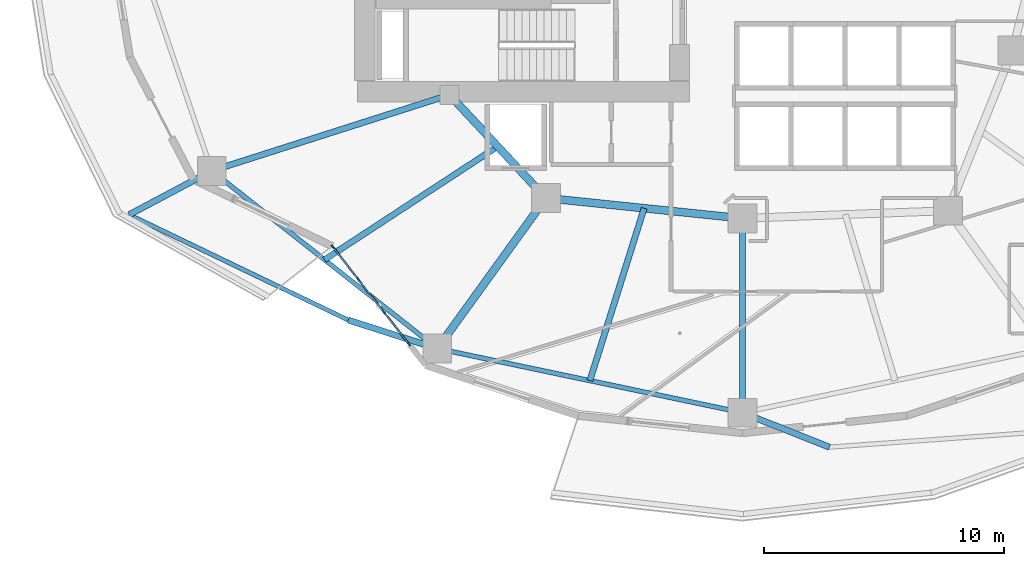
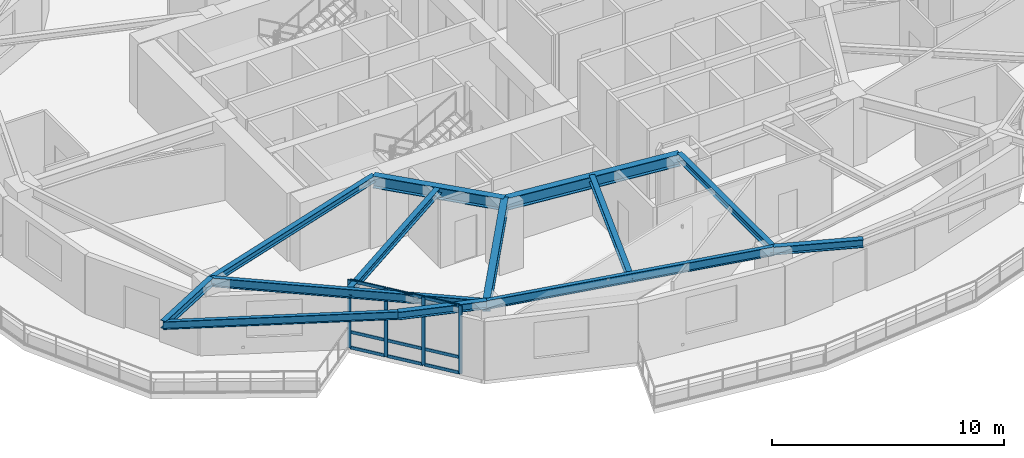
# One storey, part 2 of 19: 13 beams, 13 members, 1 element without a shape of its own.
"""IFC4 building model written with IfcOpenShell, lengths in metres."""

from ifc_helpers import new_model, si_unit, direction, frame, origin, origin_2d, place, context, subcontext, project, spatial, rectangle, i_section, extrude, material, layer, layer_set, material_profile, profile_set, type_object, element, aggregate, save


model = new_model("IFC4")

# Units and contexts
model_context = context("Model", 3, precision=1e-05, world=origin(), true_north=direction((0.0, 1.0)))
body_context = subcontext(model_context, "Body", "Model", "MODEL_VIEW")
ifc_project = project(units=[si_unit("LENGTHUNIT", "METRE"), si_unit("AREAUNIT", "SQUARE_METRE"), si_unit("VOLUMEUNIT", "CUBIC_METRE"), si_unit("PLANEANGLEUNIT", "RADIAN"), si_unit("MASSUNIT", "GRAM", prefix="KILO")], contexts=[model_context])

# Site, building, storey
site_placement = place(None, origin())
site = spatial("IfcSite", under=ifc_project, at=site_placement, CompositionType="ELEMENT")
building_placement = place(site_placement, origin())
building = spatial("IfcBuilding", under=site, at=building_placement, Name="Kolvaren Gate Tower and Convention Centre", CompositionType="ELEMENT")
storey_placement = place(building_placement, frame((0.0, 0.0, 68.85009765625)))
storey = spatial("IfcBuildingStorey", under=building, at=storey_placement, Name="L16", CompositionType="ELEMENT", Elevation=68.85009765625)

# Curtain wall, members
ifc_material_1 = material(Name="Anodized Architectural Aluminium Alloy 6063-T6", Category="aluminium")
ifc_layer = layer(ifc_material_1, 0.159912109375)
ifc_layer_set = layer_set([ifc_layer], Name="Anodized Architectural Aluminium Alloy 6063-T6")
curtain_wall_type = type_object("IfcCurtainWallType", Name="CW-OFF-UNIT", PredefinedType="NOTDEFINED", material=ifc_layer_set)
curtain_wall_placement = place(storey_placement, origin())
curtain_wall = element("IfcCurtainWall", 1, at=curtain_wall_placement, inside=storey, type_object=curtain_wall_type, Name="Tower L16 Unitised Curtain Wall CW-OFF-UNIT Bay 15", PredefinedType="NOTDEFINED")
ifc_material_profile_1 = material_profile(ifc_material_1, rectangle(XDim=0.06494140625, YDim=0.159912109375, at=origin_2d()), Name="CW-MEM-MUL-160")
ifc_profile_set_1 = profile_set([ifc_material_profile_1], Name="Anodized Architectural Aluminium Alloy 6063-T6")
member_type_1 = type_object("IfcMemberType", Name="CW-MEM-MUL-160", PredefinedType="MULLION", material=ifc_profile_set_1)
member_1_placement = place(storey_placement, frame((13.046142578125, 13.6142578125, 0.0), z_axis=(0.0, 0.0, 1.0), x_axis=(0.787412382353, 0.616426589398, 0.0)))
member_1 = element("IfcMember", 2, at=member_1_placement, type_object=member_type_1, Name="CW-02 mullion 1", PredefinedType="MULLION", context=body_context, shape_type="SweptSolid", body=[
    extrude(rectangle(XDim=0.06494140625, YDim=0.159912109375, at=origin_2d()), origin(), (0.0, 0.0, 1.0), 3.56982421875),
])
member_2_placement = place(storey_placement, frame((14.098388671875, 12.270263671875, 0.0), z_axis=(0.0, 0.0, 1.0), x_axis=(0.787412382353, 0.616426589398, 0.0)))
member_2 = element("IfcMember", 3, at=member_2_placement, type_object=member_type_1, Name="CW-02 mullion 2", PredefinedType="MULLION", context=body_context, shape_type="SweptSolid", body=[
    extrude(rectangle(XDim=0.06494140625, YDim=0.159912109375, at=origin_2d()), origin(), (0.0, 0.0, 1.0), 3.56982421875),
])
member_3_placement = place(storey_placement, frame((15.17041015625, 10.90087890625, 0.0), z_axis=(0.0, 0.0, 1.0), x_axis=(0.787412382353, 0.616426589398, 0.0)))
member_3 = element("IfcMember", 4, at=member_3_placement, type_object=member_type_1, Name="CW-02 mullion 3", PredefinedType="MULLION", context=body_context, shape_type="SweptSolid", body=[
    extrude(rectangle(XDim=0.06494140625, YDim=0.159912109375, at=origin_2d()), origin(), (0.0, 0.0, 1.0), 3.56982421875),
])
member_4_placement = place(storey_placement, frame((16.22265625, 9.556884765625, 0.0), z_axis=(0.0, 0.0, 1.0), x_axis=(0.787412382353, 0.616426589398, 0.0)))
member_4 = element("IfcMember", 5, at=member_4_placement, type_object=member_type_1, Name="CW-02 mullion 4", PredefinedType="MULLION", context=body_context, shape_type="SweptSolid", body=[
    extrude(rectangle(XDim=0.06494140625, YDim=0.159912109375, at=origin_2d()), origin(), (0.0, 0.0, 1.0), 3.56982421875),
])
ifc_material_profile_2 = material_profile(ifc_material_1, rectangle(XDim=0.06494140625, YDim=0.159912109375, at=origin_2d()), Name="CW-MEM-TRN-160")
ifc_profile_set_2 = profile_set([ifc_material_profile_2], Name="Anodized Architectural Aluminium Alloy 6063-T6")
member_type_2 = type_object("IfcMemberType", Name="CW-MEM-TRN-160", PredefinedType="USERDEFINED", material=ifc_profile_set_2)
member_5_placement = place(storey_placement, frame((13.066162109375, 13.588623046875, 0.032470703125), z_axis=(0.616408501706, -0.787426541986, 0.0), x_axis=(0.787426541986, 0.616408501706, 0.0)))
member_5 = element("IfcMember", 6, at=member_5_placement, type_object=member_type_2, Name="CW-02 transom 1.1", ObjectType="TRANSOM", PredefinedType="USERDEFINED", context=body_context, shape_type="SweptSolid", body=[
    extrude(rectangle(XDim=0.06494140625, YDim=0.159912109375, at=origin_2d()), origin(), (0.0, 0.0, 1.0), 1.6416015625),
])
member_6_placement = place(storey_placement, frame((13.066162109375, 13.588623046875, 0.849853515625), z_axis=(0.616408501706, -0.787426541986, 0.0), x_axis=(0.787426541986, 0.616408501706, 0.0)))
member_6 = element("IfcMember", 7, at=member_6_placement, type_object=member_type_2, Name="CW-02 transom 1.2", ObjectType="TRANSOM", PredefinedType="USERDEFINED", context=body_context, shape_type="SweptSolid", body=[
    extrude(rectangle(XDim=0.06494140625, YDim=0.159912109375, at=origin_2d()), origin(), (0.0, 0.0, 1.0), 1.6416015625),
])
member_7_placement = place(storey_placement, frame((13.066162109375, 13.588623046875, 3.537353515625), z_axis=(0.616408501706, -0.787426541986, 0.0), x_axis=(0.787426541986, 0.616408501706, 0.0)))
member_7 = element("IfcMember", 8, at=member_7_placement, type_object=member_type_2, Name="CW-02 transom 1.3", ObjectType="TRANSOM", PredefinedType="USERDEFINED", context=body_context, shape_type="SweptSolid", body=[
    extrude(rectangle(XDim=0.06494140625, YDim=0.159912109375, at=origin_2d()), origin(), (0.0, 0.0, 1.0), 1.6416015625),
])
member_8_placement = place(storey_placement, frame((14.118408203125, 12.24462890625, 0.032470703125), z_axis=(0.61639082822, -0.787440376718, 0.0), x_axis=(0.787440376718, 0.61639082822, 0.0)))
member_8 = element("IfcMember", 9, at=member_8_placement, type_object=member_type_2, Name="CW-02 transom 2.1", ObjectType="TRANSOM", PredefinedType="USERDEFINED", context=body_context, shape_type="SweptSolid", body=[
    extrude(rectangle(XDim=0.06494140625, YDim=0.159912109375, at=origin_2d()), origin(), (0.0, 0.0, 1.0), 1.67431640625),
])
member_9_placement = place(storey_placement, frame((14.118408203125, 12.24462890625, 0.849853515625), z_axis=(0.61639082822, -0.787440376718, 0.0), x_axis=(0.787440376718, 0.61639082822, 0.0)))
member_9 = element("IfcMember", 10, at=member_9_placement, type_object=member_type_2, Name="CW-02 transom 2.2", ObjectType="TRANSOM", PredefinedType="USERDEFINED", context=body_context, shape_type="SweptSolid", body=[
    extrude(rectangle(XDim=0.06494140625, YDim=0.159912109375, at=origin_2d()), origin(), (0.0, 0.0, 1.0), 1.67431640625),
])
member_10_placement = place(storey_placement, frame((14.118408203125, 12.24462890625, 3.537353515625), z_axis=(0.61639082822, -0.787440376718, 0.0), x_axis=(0.787440376718, 0.61639082822, 0.0)))
member_10 = element("IfcMember", 11, at=member_10_placement, type_object=member_type_2, Name="CW-02 transom 2.3", ObjectType="TRANSOM", PredefinedType="USERDEFINED", context=body_context, shape_type="SweptSolid", body=[
    extrude(rectangle(XDim=0.06494140625, YDim=0.159912109375, at=origin_2d()), origin(), (0.0, 0.0, 1.0), 1.67431640625),
])
member_11_placement = place(storey_placement, frame((15.1904296875, 10.875244140625, 0.032470703125), z_axis=(0.616428523412, -0.787410868304, 0.0), x_axis=(0.787410868304, 0.616428523412, 0.0)))
member_11 = element("IfcMember", 12, at=member_11_placement, type_object=member_type_2, Name="CW-02 transom 3.1", ObjectType="TRANSOM", PredefinedType="USERDEFINED", context=body_context, shape_type="SweptSolid", body=[
    extrude(rectangle(XDim=0.06494140625, YDim=0.159912109375, at=origin_2d()), origin(), (0.0, 0.0, 1.0), 1.64208984375),
])
member_12_placement = place(storey_placement, frame((15.1904296875, 10.875244140625, 0.849853515625), z_axis=(0.616428523412, -0.787410868304, 0.0), x_axis=(0.787410868304, 0.616428523412, 0.0)))
member_12 = element("IfcMember", 13, at=member_12_placement, type_object=member_type_2, Name="CW-02 transom 3.2", ObjectType="TRANSOM", PredefinedType="USERDEFINED", context=body_context, shape_type="SweptSolid", body=[
    extrude(rectangle(XDim=0.06494140625, YDim=0.159912109375, at=origin_2d()), origin(), (0.0, 0.0, 1.0), 1.64208984375),
])
member_13_placement = place(storey_placement, frame((15.1904296875, 10.875244140625, 3.537353515625), z_axis=(0.616428523412, -0.787410868304, 0.0), x_axis=(0.787410868304, 0.616428523412, 0.0)))
member_13 = element("IfcMember", 14, at=member_13_placement, type_object=member_type_2, Name="CW-02 transom 3.3", ObjectType="TRANSOM", PredefinedType="USERDEFINED", context=body_context, shape_type="SweptSolid", body=[
    extrude(rectangle(XDim=0.06494140625, YDim=0.159912109375, at=origin_2d()), origin(), (0.0, 0.0, 1.0), 1.64208984375),
])
aggregate(curtain_wall, [member_1, member_2, member_3, member_4, member_5, member_6, member_7, member_8, member_9, member_10, member_11, member_12, member_13])

# Beams
ifc_material_2 = material(Name="Structural steel ASTM A992 Grade 345 MPa", Category="steel")
ifc_material_profile_3 = material_profile(ifc_material_2, i_section(OverallWidth=0.260009765625, OverallDepth=0.419921875, WebThickness=0.013427734375, FlangeThickness=0.0224609375, at=origin_2d()), Name="W410X132")
ifc_profile_set_3 = profile_set([ifc_material_profile_3], Name="Structural steel ASTM A992 Grade 345 MPa")
beam_type_1 = type_object("IfcBeamType", Name="STR-BM-W410X132", PredefinedType="BEAM", material=ifc_profile_set_3)
beam_1_placement = place(storey_placement, frame((8.001220703125, 16.781494140625, 3.3603515625), z_axis=(-0.883204047485, -0.468988923649, 0.0), x_axis=(0.468988923649, -0.883204047485, 0.0)))
element("IfcBeam", 15, at=beam_1_placement, inside=storey, type_object=beam_type_1, Name="Tower L17 Planted Balcony Outrigger Cantilever BC-2A", PredefinedType="BEAM", context=body_context, shape_type="SweptSolid", body=[
    extrude(i_section(OverallWidth=0.260009765625, OverallDepth=0.419921875, WebThickness=0.013427734375, FlangeThickness=0.0224609375, at=origin_2d()), origin(), (0.0, 0.0, 1.0), 3.900146484375),
])
beam_2_placement = place(storey_placement, frame((17.403564453125, 9.372802734375, 3.3603515625), z_axis=(-0.952396522965, 0.304862039361, 0.0), x_axis=(-0.304862039361, -0.952396522965, 0.0)))
element("IfcBeam", 16, at=beam_2_placement, inside=storey, type_object=beam_type_1, Name="Tower L17 Planted Balcony Outrigger Cantilever BC-2B", PredefinedType="BEAM", context=body_context, shape_type="SweptSolid", body=[
    extrude(i_section(OverallWidth=0.260009765625, OverallDepth=0.419921875, WebThickness=0.013427734375, FlangeThickness=0.0224609375, at=origin_2d()), origin(), (0.0, 0.0, 1.0), 3.89990234375),
])
beam_3_placement = place(storey_placement, frame((30.125, 6.699951171875, 3.3603515625), z_axis=(0.929543503993, -0.368712454611, 0.0), x_axis=(0.368712454611, 0.929543503993, 0.0)))
element("IfcBeam", 17, at=beam_3_placement, inside=storey, type_object=beam_type_1, Name="Tower L17 Planted Balcony Outrigger Cantilever BC-3A", PredefinedType="BEAM", context=body_context, shape_type="SweptSolid", body=[
    extrude(i_section(OverallWidth=0.260009765625, OverallDepth=0.419921875, WebThickness=0.013427734375, FlangeThickness=0.0224609375, at=origin_2d()), origin(), (0.0, 0.0, 1.0), 3.900146484375),
])
ifc_material_profile_4 = material_profile(ifc_material_2, i_section(OverallWidth=0.327880859375, OverallDepth=0.6279296875, WebThickness=0.0166015625, FlangeThickness=0.027587890625, at=origin_2d()), Name="W610X217")
ifc_profile_set_4 = profile_set([ifc_material_profile_4], Name="Structural steel ASTM A992 Grade 345 MPa")
beam_type_2 = type_object("IfcBeamType", Name="STR-BM-W610X217", PredefinedType="BEAM", material=ifc_profile_set_4)
beam_4_placement = place(storey_placement, frame((17.9140625, 19.949951171875, 3.255859375), z_axis=(0.682557592987, -0.730831808459, 0.0), x_axis=(0.730831808459, 0.682557592987, 0.0)))
element("IfcBeam", 18, at=beam_4_placement, inside=storey, type_object=beam_type_2, Name="Tower L16 Primary Ring Girder G-06", PredefinedType="BEAM", context=body_context, shape_type="SweptSolid", body=[
    extrude(i_section(OverallWidth=0.327880859375, OverallDepth=0.6279296875, WebThickness=0.0166015625, FlangeThickness=0.027587890625, at=origin_2d()), origin(), (0.0, 0.0, 1.0), 5.88671875),
])
beam_5_placement = place(storey_placement, frame((21.93212890625, 15.647705078125, 3.255859375), z_axis=(0.994690329115, -0.102913308978, 0.0), x_axis=(0.102913308978, 0.994690329115, 0.0)))
element("IfcBeam", 19, at=beam_5_placement, inside=storey, type_object=beam_type_2, Name="Tower L16 Primary Ring Girder G-07", PredefinedType="BEAM", context=body_context, shape_type="SweptSolid", body=[
    extrude(i_section(OverallWidth=0.327880859375, OverallDepth=0.6279296875, WebThickness=0.0166015625, FlangeThickness=0.027587890625, at=origin_2d()), origin(), (0.0, 0.0, 1.0), 8.236572265625),
])
beam_6_placement = place(storey_placement, frame((21.93212890625, 15.647705078125, 3.255859375), z_axis=(-0.585209453994, -0.810882170821, 0.0), x_axis=(0.810882170821, -0.585209453994, 0.0)))
element("IfcBeam", 20, at=beam_6_placement, inside=storey, type_object=beam_type_2, Name="Tower L16 Radial Floor Girder RB-09", PredefinedType="BEAM", context=body_context, shape_type="SweptSolid", body=[
    extrude(i_section(OverallWidth=0.327880859375, OverallDepth=0.6279296875, WebThickness=0.0166015625, FlangeThickness=0.027587890625, at=origin_2d()), origin(), (0.0, 0.0, 1.0), 7.73828125),
])
ifc_material_profile_5 = material_profile(ifc_material_2, i_section(OverallWidth=0.2548828125, OverallDepth=0.35693359375, WebThickness=0.010498046875, FlangeThickness=0.018310546875, at=origin_2d()), Name="W360X101")
ifc_profile_set_5 = profile_set([ifc_material_profile_5], Name="Structural steel ASTM A992 Grade 345 MPa")
beam_type_3 = type_object("IfcBeamType", Name="STR-JS-W360X101", PredefinedType="JOIST", material=ifc_profile_set_5)
beam_7_placement = place(storey_placement, frame((17.9140625, 19.949951171875, 3.391357421875), z_axis=(-0.952525967456, -0.304457355507, 0.0), x_axis=(0.304457355507, -0.952525967456, 0.0)))
element("IfcBeam", 21, at=beam_7_placement, inside=storey, type_object=beam_type_3, Name="Tower L16 Radial Floor Girder RB-08", PredefinedType="JOIST", context=body_context, shape_type="SweptSolid", body=[
    extrude(i_section(OverallWidth=0.2548828125, OverallDepth=0.35693359375, WebThickness=0.010498046875, FlangeThickness=0.018310546875, at=origin_2d()), origin(), (0.0, 0.0, 1.0), 10.406982421875),
])
beam_8_placement = place(storey_placement, frame((30.125, 14.800048828125, 3.391357421875), z_axis=(0.0, -1.0, 0.0), x_axis=(1.0, 0.0, 0.0)))
element("IfcBeam", 22, at=beam_8_placement, inside=storey, type_object=beam_type_3, Name="Tower L16 Radial Floor Girder RB-10", PredefinedType="JOIST", context=body_context, shape_type="SweptSolid", body=[
    extrude(i_section(OverallWidth=0.2548828125, OverallDepth=0.35693359375, WebThickness=0.010498046875, FlangeThickness=0.018310546875, at=origin_2d()), origin(), (0.0, 0.0, 1.0), 8.10009765625),
])
beam_9_placement = place(storey_placement, frame((19.923095703125, 17.798828125, 3.391357421875), z_axis=(-0.836945684387, -0.547285959428, 0.0), x_axis=(0.547285959428, -0.836945684387, 0.0)))
element("IfcBeam", 23, at=beam_9_placement, inside=storey, type_object=beam_type_3, Name="Tower L16 Secondary Composite Floor Joist J-08.1", PredefinedType="JOIST", context=body_context, shape_type="SweptSolid", body=[
    extrude(i_section(OverallWidth=0.2548828125, OverallDepth=0.35693359375, WebThickness=0.010498046875, FlangeThickness=0.018310546875, at=origin_2d()), origin(), (0.0, 0.0, 1.0), 8.62744140625),
])
beam_10_placement = place(storey_placement, frame((26.028564453125, 15.223876953125, 3.391357421875), z_axis=(-0.300467647472, -0.953792007108, 0.0), x_axis=(0.953792007108, -0.300467647472, 0.0)))
element("IfcBeam", 24, at=beam_10_placement, inside=storey, type_object=beam_type_3, Name="Tower L16 Secondary Composite Floor Joist J-09.1", PredefinedType="JOIST", context=body_context, shape_type="SweptSolid", body=[
    extrude(i_section(OverallWidth=0.2548828125, OverallDepth=0.35693359375, WebThickness=0.010498046875, FlangeThickness=0.018310546875, at=origin_2d()), origin(), (0.0, 0.0, 1.0), 7.535400390625),
])
ifc_material_profile_6 = material_profile(ifc_material_2, i_section(OverallWidth=0.180908203125, OverallDepth=0.4169921875, WebThickness=0.010986328125, FlangeThickness=0.018310546875, at=origin_2d()), Name="W410X85")
ifc_profile_set_6 = profile_set([ifc_material_profile_6], Name="Structural steel ASTM A992 Grade 345 MPa")
beam_type_4 = type_object("IfcBeamType", Name="STR-SP-W410X85", PredefinedType="SPANDREL", material=ifc_profile_set_6)
beam_11_placement = place(storey_placement, frame((4.556640625, 14.952392578125, 3.36181640625), z_axis=(0.90125369106, -0.433291800466, 0.0), x_axis=(0.433291800466, 0.90125369106, 0.0)))
element("IfcBeam", 25, at=beam_11_placement, inside=storey, type_object=beam_type_4, Name="Tower L17 Planted Balcony Header Tie Beam BT-2", PredefinedType="SPANDREL", context=body_context, shape_type="SweptSolid", body=[
    extrude(i_section(OverallWidth=0.180908203125, OverallDepth=0.4169921875, WebThickness=0.010986328125, FlangeThickness=0.018310546875, at=origin_2d()), origin(), (0.0, 0.0, 1.0), 10.13330078125),
])
ifc_material_profile_7 = material_profile(ifc_material_2, i_section(OverallWidth=0.194091796875, OverallDepth=0.468994140625, WebThickness=0.0126953125, FlangeThickness=0.0205078125, at=origin_2d()), Name="W460X106")
ifc_profile_set_7 = profile_set([ifc_material_profile_7], Name="Structural steel ASTM A992 Grade 345 MPa")
beam_type_5 = type_object("IfcBeamType", Name="STR-SP-W460X106", PredefinedType="SPANDREL", material=ifc_profile_set_7)
beam_12_placement = place(storey_placement, frame((8.001220703125, 16.781494140625, 3.33544921875), z_axis=(0.785459824636, -0.618912646407, 0.0), x_axis=(0.618912646407, 0.785459824636, 0.0)))
element("IfcBeam", 26, at=beam_12_placement, inside=storey, type_object=beam_type_5, Name="Tower L16 Perimeter Spandrel Beam SP-08", PredefinedType="SPANDREL", context=body_context, shape_type="SweptSolid", body=[
    extrude(i_section(OverallWidth=0.194091796875, OverallDepth=0.468994140625, WebThickness=0.0126953125, FlangeThickness=0.0205078125, at=origin_2d()), origin(), (0.0, 0.0, 1.0), 11.970458984375),
])
beam_13_placement = place(storey_placement, frame((17.403564453125, 9.372802734375, 3.33544921875), z_axis=(0.978632602148, -0.205616706552, 0.0), x_axis=(0.205616706552, 0.978632602148, 0.0)))
element("IfcBeam", 27, at=beam_13_placement, inside=storey, type_object=beam_type_5, Name="Tower L16 Perimeter Spandrel Beam SP-09", PredefinedType="SPANDREL", context=body_context, shape_type="SweptSolid", body=[
    extrude(i_section(OverallWidth=0.194091796875, OverallDepth=0.468994140625, WebThickness=0.0126953125, FlangeThickness=0.0205078125, at=origin_2d()), origin(), (0.0, 0.0, 1.0), 12.999267578125),
])

save(model, "model.ifc")
